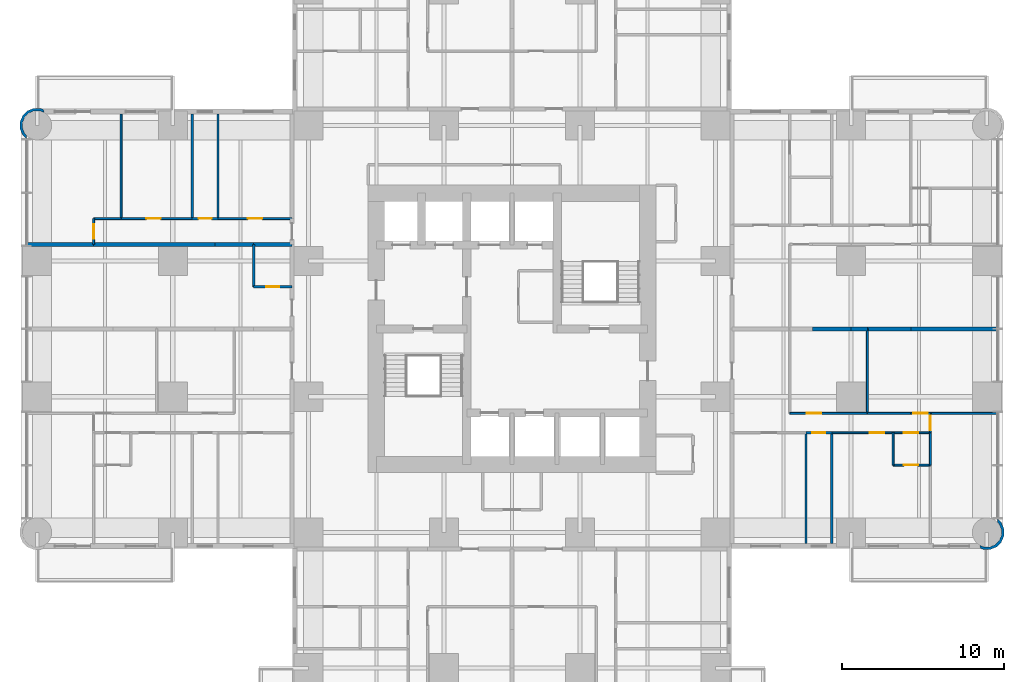
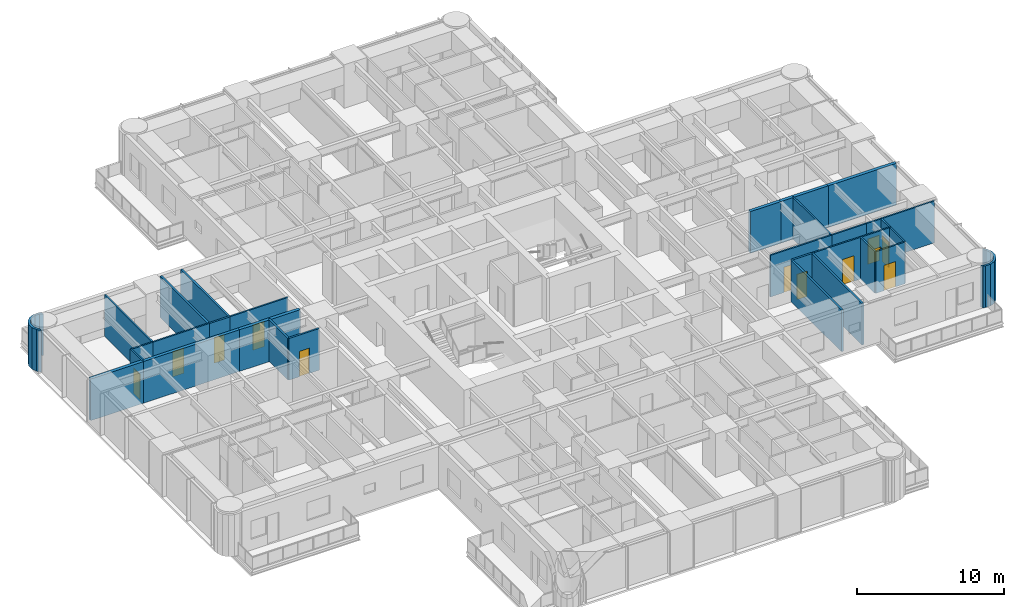
# One storey, part 11 of 17: 34 walls, 12 doors, 12 openings.
"""IFC4 building model written with IfcOpenShell, lengths in metres."""

from ifc_helpers import new_model, si_unit, direction, frame, frame_2d, origin, place, context, subcontext, project, spatial, polyline, rectangle, outline, extrude, material, layer, layer_set, type_object, element, fill, save


model = new_model("IFC4")

# Units and contexts
model_context = context("Model", 3, precision=1e-05, world=origin(), true_north=direction((0.0, 1.0)))
body_context = subcontext(model_context, "Body", "Model", "MODEL_VIEW")
ifc_project = project(units=[si_unit("LENGTHUNIT", "METRE"), si_unit("AREAUNIT", "SQUARE_METRE"), si_unit("VOLUMEUNIT", "CUBIC_METRE"), si_unit("PLANEANGLEUNIT", "RADIAN"), si_unit("MASSUNIT", "GRAM", prefix="KILO")], contexts=[model_context])

# Site, building, storey
site_placement = place(None, origin())
site = spatial("IfcSite", under=ifc_project, at=site_placement, CompositionType="ELEMENT")
building_placement = place(site_placement, origin())
building = spatial("IfcBuilding", under=site, at=building_placement, Name="Torre Alcanfor", CompositionType="ELEMENT")
storey_placement = place(building_placement, frame((0.0, 0.0, 41.699951171875)))
storey = spatial("IfcBuildingStorey", under=building, at=storey_placement, Name="L09", CompositionType="ELEMENT", Elevation=41.699951171875)

# Wall
ifc_material_1 = material(Name="Gypsum board on steel studs", Category="steel")
ifc_layer_1 = layer(ifc_material_1, 0.1201171875)
ifc_layer_set_1 = layer_set([ifc_layer_1], Name="Apartment partition 120")
wall_type_1 = type_object("IfcWallType", Name="Apartment partition 120", PredefinedType="PARTITIONING", material=ifc_layer_set_1)
wall_1_placement = place(storey_placement, frame((51.39990234375, 29.39990234375, 0.0), z_axis=(0.0, 0.0, 1.0), x_axis=(0.0, -1.0, 0.0)))
element("IfcWall", 1, at=wall_1_placement, inside=storey, type_object=wall_type_1, Name="Partition L09-E2-FAMILY / L09-E2-KITCHEN", PredefinedType="PARTITIONING", context=body_context, shape_type="SweptSolid", body=[
    extrude(rectangle(XDim=5.22900390625, YDim=0.1201171875, at=frame_2d((2.614501953125, 0.0))), origin(), (0.0, 0.0, 1.0), 3.449951171875),
])

# Wall, opening, door
wall_2_placement = place(storey_placement, frame((51.39990234375, 24.1708984375, 0.0), z_axis=(0.0, 0.0, 1.0), x_axis=(-1.0, 0.0, 0.0)))
wall_2 = element("IfcWall", 2, at=wall_2_placement, inside=storey, type_object=wall_type_1, Name="Partition L09-E2-FAMILY / L09-E2-HALL", PredefinedType="PARTITIONING", context=body_context, shape_type="SweptSolid", body=[
    extrude(rectangle(XDim=4.7998046875, YDim=0.1201171875, at=frame_2d((2.39990234375, 0.0))), origin(), (0.0, 0.0, 1.0), 3.449951171875),
])
opening_1_placement = place(wall_2_placement, frame((2.85009765625, 0.0, 0.0)))
opening_1 = element("IfcOpeningElement", 3, at=opening_1_placement, cuts=wall_2, Name="Opening D-R1", PredefinedType="OPENING", context=body_context, shape_type="SweptSolid", body=[
    extrude(rectangle(XDim=0.89990234375, YDim=2.10009765625, at=frame_2d((0.449951171875, 1.050048828125))), frame((0.0, 0.070068359375, 0.0), z_axis=(0.0, -1.0, 0.0), x_axis=(1.0, 0.0, 0.0)), (0.0, 0.0, 1.0), 0.14013671875),
])
ifc_material_2 = material(Name="Timber", Category="wood")
door_type_1 = type_object("IfcDoorType", Name="Internal door 900x2100", OperationType="SINGLE_SWING_LEFT", PredefinedType="DOOR", material=ifc_material_2)
door_1_placement = place(opening_1_placement, frame((0.89990234375, 0.0, 0.0), z_axis=(0.0, 0.0, 1.0), x_axis=(-1.0, 0.0, 0.0)))
door_1 = element("IfcDoor", 4, at=door_1_placement, inside=storey, type_object=door_type_1, Name="Door L09-E2 family", OperationType="SINGLE_SWING_LEFT", OverallHeight=2.10009765625, OverallWidth=0.89990234375, PredefinedType="DOOR", context=body_context, shape_type="SweptSolid", body=[
    extrude(rectangle(XDim=0.89990234375, YDim=2.10009765625, at=frame_2d((0.449951171875, 1.050048828125))), frame((0.0, 0.025146484375, 0.0), z_axis=(0.0, -1.0, 0.0), x_axis=(1.0, 0.0, 0.0)), (0.0, 0.0, 1.0), 0.050048828125),
])
fill(opening_1, door_1)

# Wall
wall_3_placement = place(storey_placement, frame((54.10009765625, 24.1708984375, 0.0), z_axis=(0.0, 0.0, 1.0), x_axis=(-1.0, 0.0, 0.0)))
element("IfcWall", 5, at=wall_3_placement, inside=storey, type_object=wall_type_1, Name="Partition L09-E2-KITCHEN / L09-E2-HALL", PredefinedType="PARTITIONING", context=body_context, shape_type="SweptSolid", body=[
    extrude(rectangle(XDim=2.7001953125, YDim=0.1201171875, at=frame_2d((1.35009765625, 0.0))), origin(), (0.0, 0.0, 1.0), 3.449951171875),
])

# Wall, opening, door
wall_4_placement = place(storey_placement, frame((55.300048828125, 24.1708984375, 0.0), z_axis=(0.0, 0.0, 1.0), x_axis=(-1.0, 0.0, 0.0)))
wall_4 = element("IfcWall", 6, at=wall_4_placement, inside=storey, type_object=wall_type_1, Name="Partition L09-E2-LIVING / L09-E2-HALL", PredefinedType="PARTITIONING", context=body_context, shape_type="SweptSolid", body=[
    extrude(rectangle(XDim=1.199951171875, YDim=0.1201171875, at=frame_2d((0.60009765625, 0.0))), origin(), (0.0, 0.0, 1.0), 3.449951171875),
])
opening_2_placement = place(wall_4_placement, frame((0.14990234375, 0.0, 0.0)))
opening_2 = element("IfcOpeningElement", 7, at=opening_2_placement, cuts=wall_4, Name="Opening D-R1", PredefinedType="OPENING", context=body_context, shape_type="SweptSolid", body=[
    extrude(rectangle(XDim=0.89990234375, YDim=2.10009765625, at=frame_2d((0.449951171875, 1.050048828125))), frame((0.0, 0.070068359375, 0.0), z_axis=(0.0, -1.0, 0.0), x_axis=(1.0, 0.0, 0.0)), (0.0, 0.0, 1.0), 0.14013671875),
])
door_2_placement = place(opening_2_placement, frame((0.89990234375, 0.0, 0.0), z_axis=(0.0, 0.0, 1.0), x_axis=(-1.0, 0.0, 0.0)))
door_2 = element("IfcDoor", 8, at=door_2_placement, inside=storey, type_object=door_type_1, Name="Door L09-E2 living", OperationType="SINGLE_SWING_LEFT", OverallHeight=2.10009765625, OverallWidth=0.89990234375, PredefinedType="DOOR", context=body_context, shape_type="SweptSolid", body=[
    extrude(rectangle(XDim=0.89990234375, YDim=2.10009765625, at=frame_2d((0.449951171875, 1.050048828125))), frame((0.0, 0.025146484375, 0.0), z_axis=(0.0, -1.0, 0.0), x_axis=(1.0, 0.0, 0.0)), (0.0, 0.0, 1.0), 0.050048828125),
])
fill(opening_2, door_2)

# Wall
wall_5_placement = place(storey_placement, frame((59.449951171875, 24.1708984375, 0.0), z_axis=(0.0, 0.0, 1.0), x_axis=(-1.0, 0.0, 0.0)))
element("IfcWall", 9, at=wall_5_placement, inside=storey, type_object=wall_type_1, Name="Partition L09-E2-LIVING / L09-E2-WGARD", PredefinedType="PARTITIONING", context=body_context, shape_type="SweptSolid", body=[
    extrude(rectangle(XDim=4.14990234375, YDim=0.1201171875, at=frame_2d((2.074951171875, 0.0))), origin(), (0.0, 0.0, 1.0), 3.449951171875),
])

# Wall, opening, door
wall_6_placement = place(storey_placement, frame((53.0, 22.970947265625, 0.0), z_axis=(0.0, 0.0, 1.0), x_axis=(-1.0, 0.0, 0.0)))
wall_6 = element("IfcWall", 10, at=wall_6_placement, inside=storey, type_object=wall_type_1, Name="Partition L09-E2-HALL / L09-E2-MASTER", PredefinedType="PARTITIONING", context=body_context, shape_type="SweptSolid", body=[
    extrude(rectangle(XDim=3.800048828125, YDim=0.1201171875, at=frame_2d((1.89990234375, 0.0))), origin(), (0.0, 0.0, 1.0), 3.449951171875),
])
opening_3_placement = place(wall_6_placement, frame((0.550048828125, 0.0, 0.0)))
opening_3 = element("IfcOpeningElement", 11, at=opening_3_placement, cuts=wall_6, Name="Opening D-R1", PredefinedType="OPENING", context=body_context, shape_type="SweptSolid", body=[
    extrude(rectangle(XDim=0.89990234375, YDim=2.10009765625, at=frame_2d((0.449951171875, 1.050048828125))), frame((0.0, 0.070068359375, 0.0), z_axis=(0.0, -1.0, 0.0), x_axis=(1.0, 0.0, 0.0)), (0.0, 0.0, 1.0), 0.14013671875),
])
door_3_placement = place(opening_3_placement, origin())
door_3 = element("IfcDoor", 12, at=door_3_placement, inside=storey, type_object=door_type_1, Name="Door L09-E2 master", OperationType="SINGLE_SWING_LEFT", OverallHeight=2.10009765625, OverallWidth=0.89990234375, PredefinedType="DOOR", context=body_context, shape_type="SweptSolid", body=[
    extrude(rectangle(XDim=0.89990234375, YDim=2.10009765625, at=frame_2d((0.449951171875, 1.050048828125))), frame((0.0, 0.02490234375, 0.0), z_axis=(0.0, -1.0, 0.0), x_axis=(1.0, 0.0, 0.0)), (0.0, 0.0, 1.0), 0.050048828125),
])
fill(opening_3, door_3)

wall_7_placement = place(storey_placement, frame((55.300048828125, 22.970947265625, 0.0), z_axis=(0.0, 0.0, 1.0), x_axis=(-1.0, 0.0, 0.0)))
wall_7 = element("IfcWall", 13, at=wall_7_placement, inside=storey, type_object=wall_type_1, Name="Partition L09-E2-HALL / L09-E2-VEST", PredefinedType="PARTITIONING", context=body_context, shape_type="SweptSolid", body=[
    extrude(rectangle(XDim=2.300048828125, YDim=0.1201171875, at=frame_2d((1.14990234375, 0.0))), origin(), (0.0, 0.0, 1.0), 3.449951171875),
])
opening_4_placement = place(wall_7_placement, frame((0.75, 0.0, 0.0)))
opening_4 = element("IfcOpeningElement", 14, at=opening_4_placement, cuts=wall_7, Name="Opening D-R1", PredefinedType="OPENING", context=body_context, shape_type="SweptSolid", body=[
    extrude(rectangle(XDim=0.89990234375, YDim=2.10009765625, at=frame_2d((0.449951171875, 1.050048828125))), frame((0.0, 0.070068359375, 0.0), z_axis=(0.0, -1.0, 0.0), x_axis=(1.0, 0.0, 0.0)), (0.0, 0.0, 1.0), 0.14013671875),
])
door_4_placement = place(opening_4_placement, origin())
door_4 = element("IfcDoor", 15, at=door_4_placement, inside=storey, type_object=door_type_1, Name="Door L09-E2 vest", OperationType="SINGLE_SWING_RIGHT", OverallHeight=2.10009765625, OverallWidth=0.89990234375, PredefinedType="DOOR", context=body_context, shape_type="SweptSolid", body=[
    extrude(rectangle(XDim=0.89990234375, YDim=2.10009765625, at=frame_2d((0.449951171875, 1.050048828125))), frame((0.0, 0.02490234375, 0.0), z_axis=(0.0, -1.0, 0.0), x_axis=(1.0, 0.0, 0.0)), (0.0, 0.0, 1.0), 0.050048828125),
])
fill(opening_4, door_4)

wall_8_placement = place(storey_placement, frame((55.300048828125, 24.1708984375, 0.0), z_axis=(0.0, 0.0, 1.0), x_axis=(0.0, -1.0, 0.0)))
wall_8 = element("IfcWall", 16, at=wall_8_placement, inside=storey, type_object=wall_type_1, Name="Partition L09-E2-HALL / L09-E2-WGARD", PredefinedType="PARTITIONING", context=body_context, shape_type="SweptSolid", body=[
    extrude(rectangle(XDim=1.199951171875, YDim=0.1201171875, at=frame_2d((0.60009765625, 0.0))), origin(), (0.0, 0.0, 1.0), 3.449951171875),
])
opening_5_placement = place(wall_8_placement, frame((0.15087890625, 0.0, 0.0)))
opening_5 = element("IfcOpeningElement", 17, at=opening_5_placement, cuts=wall_8, Name="Opening D-R1", PredefinedType="OPENING", context=body_context, shape_type="SweptSolid", body=[
    extrude(rectangle(XDim=0.89990234375, YDim=2.10009765625, at=frame_2d((0.449951171875, 1.050048828125))), frame((0.0, 0.070068359375, 0.0), z_axis=(0.0, -1.0, 0.0), x_axis=(1.0, 0.0, 0.0)), (0.0, 0.0, 1.0), 0.14013671875),
])
door_5_placement = place(opening_5_placement, origin())
door_5 = element("IfcDoor", 18, at=door_5_placement, inside=storey, type_object=door_type_1, Name="Door L09-E2 wgard", OperationType="SINGLE_SWING_LEFT", OverallHeight=2.10009765625, OverallWidth=0.89990234375, PredefinedType="DOOR", context=body_context, shape_type="SweptSolid", body=[
    extrude(rectangle(XDim=0.89990234375, YDim=2.10009765625, at=frame_2d((0.449951171875, 1.050048828125))), frame((0.0, 0.02490234375, 0.0), z_axis=(0.0, -1.0, 0.0), x_axis=(1.0, 0.0, 0.0)), (0.0, 0.0, 1.0), 0.050048828125),
])
fill(opening_5, door_5)

# Wall
wall_9_placement = place(storey_placement, frame((53.0, 22.970947265625, 0.0), z_axis=(0.0, 0.0, 1.0), x_axis=(0.0, -1.0, 0.0)))
element("IfcWall", 19, at=wall_9_placement, inside=storey, type_object=wall_type_1, Name="Partition L09-E2-MASTER / L09-E2-VEST", PredefinedType="PARTITIONING", context=body_context, shape_type="SweptSolid", body=[
    extrude(rectangle(XDim=2.0, YDim=0.1201171875, at=frame_2d((1.0, 0.0))), origin(), (0.0, 0.0, 1.0), 3.449951171875),
])

# Wall, opening, door
wall_10_placement = place(storey_placement, frame((53.0, 20.970947265625, 0.0), z_axis=(0.0, 0.0, 1.0), x_axis=(1.0, 0.0, 0.0)))
wall_10 = element("IfcWall", 20, at=wall_10_placement, inside=storey, type_object=wall_type_1, Name="Partition L09-E2-MASTER / L09-E2-VEST", PredefinedType="PARTITIONING", context=body_context, shape_type="SweptSolid", body=[
    extrude(rectangle(XDim=2.300048828125, YDim=0.1201171875, at=frame_2d((1.14990234375, 0.0))), origin(), (0.0, 0.0, 1.0), 3.449951171875),
])
opening_6_placement = place(wall_10_placement, frame((0.64990234375, 0.0, 0.0)))
opening_6 = element("IfcOpeningElement", 21, at=opening_6_placement, cuts=wall_10, Name="Opening D-R1", PredefinedType="OPENING", context=body_context, shape_type="SweptSolid", body=[
    extrude(rectangle(XDim=0.89990234375, YDim=2.10009765625, at=frame_2d((0.449951171875, 1.050048828125))), frame((0.0, 0.070068359375, 0.0), z_axis=(0.0, -1.0, 0.0), x_axis=(1.0, 0.0, 0.0)), (0.0, 0.0, 1.0), 0.14013671875),
])
door_6_placement = place(opening_6_placement, origin())
door_6 = element("IfcDoor", 22, at=door_6_placement, inside=storey, type_object=door_type_1, Name="Door L09-E2 master", OperationType="SINGLE_SWING_LEFT", OverallHeight=2.10009765625, OverallWidth=0.89990234375, PredefinedType="DOOR", context=body_context, shape_type="SweptSolid", body=[
    extrude(rectangle(XDim=0.89990234375, YDim=2.10009765625, at=frame_2d((0.449951171875, 1.050048828125))), frame((0.0, 0.02490234375, 0.0), z_axis=(0.0, -1.0, 0.0), x_axis=(1.0, 0.0, 0.0)), (0.0, 0.0, 1.0), 0.050048828125),
])
fill(opening_6, door_6)

# Wall
wall_11_placement = place(storey_placement, frame((55.300048828125, 22.970947265625, 0.0), z_axis=(0.0, 0.0, 1.0), x_axis=(0.0, -1.0, 0.0)))
element("IfcWall", 23, at=wall_11_placement, inside=storey, type_object=wall_type_1, Name="Partition L09-E2-VEST / L09-E2-WGARD", PredefinedType="PARTITIONING", context=body_context, shape_type="SweptSolid", body=[
    extrude(rectangle(XDim=2.0, YDim=0.1201171875, at=frame_2d((1.0, 0.0))), origin(), (0.0, 0.0, 1.0), 3.449951171875),
])

# Wall, opening, door
wall_12_placement = place(storey_placement, frame((11.199951171875, 36.22900390625, 0.0), z_axis=(0.0, 0.0, 1.0), x_axis=(1.0, 0.0, 0.0)))
wall_12 = element("IfcWall", 24, at=wall_12_placement, inside=storey, type_object=wall_type_1, Name="Partition L09-W2B-HALL / L09-W2B-MASTER", PredefinedType="PARTITIONING", context=body_context, shape_type="SweptSolid", body=[
    extrude(rectangle(XDim=4.574951171875, YDim=0.1201171875, at=frame_2d((2.28759765625, 0.0))), origin(), (0.0, 0.0, 1.0), 3.449951171875),
])
opening_7_placement = place(wall_12_placement, frame((1.85009765625, 0.0, 0.0)))
opening_7 = element("IfcOpeningElement", 25, at=opening_7_placement, cuts=wall_12, Name="Opening D-R1", PredefinedType="OPENING", context=body_context, shape_type="SweptSolid", body=[
    extrude(rectangle(XDim=0.89990234375, YDim=2.10009765625, at=frame_2d((0.449951171875, 1.050048828125))), frame((0.0, 0.070068359375, 0.0), z_axis=(0.0, -1.0, 0.0), x_axis=(1.0, 0.0, 0.0)), (0.0, 0.0, 1.0), 0.14013671875),
])
door_7_placement = place(opening_7_placement, origin())
door_7 = element("IfcDoor", 26, at=door_7_placement, inside=storey, type_object=door_type_1, Name="Door L09-W2B master", OperationType="SINGLE_SWING_RIGHT", OverallHeight=2.10009765625, OverallWidth=0.89990234375, PredefinedType="DOOR", context=body_context, shape_type="SweptSolid", body=[
    extrude(rectangle(XDim=0.89990234375, YDim=2.10009765625, at=frame_2d((0.449951171875, 1.050048828125))), frame((0.0, 0.02490234375, 0.0), z_axis=(0.0, -1.0, 0.0), x_axis=(1.0, 0.0, 0.0)), (0.0, 0.0, 1.0), 0.050048828125),
])
fill(opening_7, door_7)

wall_13_placement = place(storey_placement, frame((5.199951171875, 36.22900390625, 0.0), z_axis=(0.0, 0.0, 1.0), x_axis=(1.0, 0.0, 0.0)))
wall_13 = element("IfcWall", 27, at=wall_13_placement, inside=storey, type_object=wall_type_1, Name="Partition L09-W2B-HALL / L09-W2B-STUDY", PredefinedType="PARTITIONING", context=body_context, shape_type="SweptSolid", body=[
    extrude(rectangle(XDim=4.400146484375, YDim=0.1201171875, at=frame_2d((2.2001953125, 0.0))), origin(), (0.0, 0.0, 1.0), 3.449951171875),
])
opening_8_placement = place(wall_13_placement, frame((1.550048828125, 0.0, 0.0)))
opening_8 = element("IfcOpeningElement", 28, at=opening_8_placement, cuts=wall_13, Name="Opening D-R1", PredefinedType="OPENING", context=body_context, shape_type="SweptSolid", body=[
    extrude(rectangle(XDim=0.89990234375, YDim=2.10009765625, at=frame_2d((0.449951171875, 1.050048828125))), frame((0.0, 0.070068359375, 0.0), z_axis=(0.0, -1.0, 0.0), x_axis=(1.0, 0.0, 0.0)), (0.0, 0.0, 1.0), 0.14013671875),
])
door_8_placement = place(opening_8_placement, origin())
door_8 = element("IfcDoor", 29, at=door_8_placement, inside=storey, type_object=door_type_1, Name="Door L09-W2B study", OperationType="SINGLE_SWING_LEFT", OverallHeight=2.10009765625, OverallWidth=0.89990234375, PredefinedType="DOOR", context=body_context, shape_type="SweptSolid", body=[
    extrude(rectangle(XDim=0.89990234375, YDim=2.10009765625, at=frame_2d((0.449951171875, 1.050048828125))), frame((0.0, 0.02490234375, 0.0), z_axis=(0.0, -1.0, 0.0), x_axis=(1.0, 0.0, 0.0)), (0.0, 0.0, 1.0), 0.050048828125),
])
fill(opening_8, door_8)

# Wall
wall_14_placement = place(storey_placement, frame((3.5, 36.22900390625, 0.0), z_axis=(0.0, 0.0, 1.0), x_axis=(1.0, 0.0, 0.0)))
element("IfcWall", 30, at=wall_14_placement, inside=storey, type_object=wall_type_1, Name="Partition L09-W2B-HALL / L09-W2B-KITCHEN", PredefinedType="PARTITIONING", context=body_context, shape_type="SweptSolid", body=[
    extrude(rectangle(XDim=1.699951171875, YDim=0.1201171875, at=frame_2d((0.85009765625, 0.0))), origin(), (0.0, 0.0, 1.0), 3.449951171875),
])

# Wall, opening, door
wall_15_placement = place(storey_placement, frame((3.5, 34.62890625, 0.0), z_axis=(0.0, 0.0, 1.0), x_axis=(0.0, 1.0, 0.0)))
wall_15 = element("IfcWall", 31, at=wall_15_placement, inside=storey, type_object=wall_type_1, Name="Partition L09-W2B-HALL / L09-W2B-LIVING", PredefinedType="PARTITIONING", context=body_context, shape_type="SweptSolid", body=[
    extrude(rectangle(XDim=1.60009765625, YDim=0.1201171875, at=frame_2d((0.800048828125, 0.0))), origin(), (0.0, 0.0, 1.0), 3.449951171875),
])
opening_9_placement = place(wall_15_placement, frame((0.35009765625, 0.0, 0.0)))
opening_9 = element("IfcOpeningElement", 32, at=opening_9_placement, cuts=wall_15, Name="Opening D-R1", PredefinedType="OPENING", context=body_context, shape_type="SweptSolid", body=[
    extrude(rectangle(XDim=0.89990234375, YDim=2.10009765625, at=frame_2d((0.449951171875, 1.050048828125))), frame((0.0, 0.070068359375, 0.0), z_axis=(0.0, -1.0, 0.0), x_axis=(1.0, 0.0, 0.0)), (0.0, 0.0, 1.0), 0.14013671875),
])
door_9_placement = place(opening_9_placement, origin())
door_9 = element("IfcDoor", 33, at=door_9_placement, inside=storey, type_object=door_type_1, Name="Door L09-W2B living", OperationType="SINGLE_SWING_LEFT", OverallHeight=2.10009765625, OverallWidth=0.89990234375, PredefinedType="DOOR", context=body_context, shape_type="SweptSolid", body=[
    extrude(rectangle(XDim=0.89990234375, YDim=2.10009765625, at=frame_2d((0.449951171875, 1.050048828125))), frame((0.0, 0.02490234375, 0.0), z_axis=(0.0, -1.0, 0.0), x_axis=(1.0, 0.0, 0.0)), (0.0, 0.0, 1.0), 0.050048828125),
])
fill(opening_9, door_9)

# Walls
wall_16_placement = place(storey_placement, frame((5.199951171875, 36.22900390625, 0.0), z_axis=(0.0, 0.0, 1.0), x_axis=(0.0, 1.0, 0.0)))
element("IfcWall", 34, at=wall_16_placement, inside=storey, type_object=wall_type_1, Name="Partition L09-W2B-STUDY / L09-W2B-KITCHEN", PredefinedType="PARTITIONING", context=body_context, shape_type="SweptSolid", body=[
    extrude(rectangle(XDim=6.470947265625, YDim=0.1201171875, at=frame_2d((3.2353515625, 0.0))), origin(), (0.0, 0.0, 1.0), 3.449951171875),
])
ifc_material_3 = material(Name="Concrete block masonry, hollow blocks NMX-C-404 9 MPa", Category="masonry")
ifc_layer_2 = layer(ifc_material_3, 0.25)
ifc_layer_set_2 = layer_set([ifc_layer_2], Name="Party wall 250 EI 60")
wall_type_2 = type_object("IfcWallType", Name="Party wall 250 EI 60", PredefinedType="PARTITIONING", material=ifc_layer_set_2)
wall_17_placement = place(storey_placement, frame((48.0, 29.39990234375, 0.0), z_axis=(0.0, 0.0, 1.0), x_axis=(1.0, 0.0, 0.0)))
element("IfcWall", 35, at=wall_17_placement, inside=storey, type_object=wall_type_2, Name="Partition L09-E1-KITCHEN / L09-E2-FAMILY", PredefinedType="PARTITIONING", context=body_context, shape_type="SweptSolid", body=[
    extrude(rectangle(XDim=2.39990234375, YDim=0.25, at=frame_2d((1.199951171875, 0.0))), origin(), (0.0, 0.0, 1.0), 3.449951171875),
])
wall_18_placement = place(storey_placement, frame((50.39990234375, 29.39990234375, 0.0), z_axis=(0.0, 0.0, 1.0), x_axis=(1.0, 0.0, 0.0)))
element("IfcWall", 36, at=wall_18_placement, inside=storey, type_object=wall_type_2, Name="Partition L09-E1-LIVING / L09-E2-FAMILY", PredefinedType="PARTITIONING", context=body_context, shape_type="SweptSolid", body=[
    extrude(rectangle(XDim=1.0, YDim=0.25, at=frame_2d((0.5, 0.0))), origin(), (0.0, 0.0, 1.0), 3.449951171875),
])
wall_19_placement = place(storey_placement, frame((51.39990234375, 29.39990234375, 0.0), z_axis=(0.0, 0.0, 1.0), x_axis=(1.0, 0.0, 0.0)))
element("IfcWall", 37, at=wall_19_placement, inside=storey, type_object=wall_type_2, Name="Partition L09-E1-LIVING / L09-E2-KITCHEN", PredefinedType="PARTITIONING", context=body_context, shape_type="SweptSolid", body=[
    extrude(rectangle(XDim=2.7001953125, YDim=0.25, at=frame_2d((1.35009765625, 0.0))), origin(), (0.0, 0.0, 1.0), 3.449951171875),
])
wall_20_placement = place(storey_placement, frame((54.10009765625, 29.39990234375, 0.0), z_axis=(0.0, 0.0, 1.0), x_axis=(1.0, 0.0, 0.0)))
element("IfcWall", 38, at=wall_20_placement, inside=storey, type_object=wall_type_2, Name="Partition L09-E1-LIVING / L09-E2-LIVING", PredefinedType="PARTITIONING", context=body_context, shape_type="SweptSolid", body=[
    extrude(rectangle(XDim=5.349853515625, YDim=0.25, at=frame_2d((2.6748046875, 0.0))), origin(), (0.0, 0.0, 1.0), 3.449951171875),
])
wall_21_placement = place(storey_placement, frame((13.39990234375, 34.62890625, 0.0), z_axis=(0.0, 0.0, 1.0), x_axis=(1.0, 0.0, 0.0)))
element("IfcWall", 39, at=wall_21_placement, inside=storey, type_object=wall_type_2, Name="Partition L09-W2A-BATH / L09-W2B-HALL", PredefinedType="PARTITIONING", context=body_context, shape_type="SweptSolid", body=[
    extrude(rectangle(XDim=2.375, YDim=0.25, at=frame_2d((1.1875, 0.0))), origin(), (0.0, 0.0, 1.0), 3.449951171875),
])
wall_22_placement = place(storey_placement, frame((11.0, 34.62890625, 0.0), z_axis=(0.0, 0.0, 1.0), x_axis=(1.0, 0.0, 0.0)))
element("IfcWall", 40, at=wall_22_placement, inside=storey, type_object=wall_type_2, Name="Partition L09-W2A-KITCHEN / L09-W2B-HALL", PredefinedType="PARTITIONING", context=body_context, shape_type="SweptSolid", body=[
    extrude(rectangle(XDim=2.39990234375, YDim=0.25, at=frame_2d((1.199951171875, 0.0))), origin(), (0.0, 0.0, 1.0), 3.449951171875),
])
wall_23_placement = place(storey_placement, frame((3.5, 34.62890625, 0.0), z_axis=(0.0, 0.0, 1.0), x_axis=(1.0, 0.0, 0.0)))
element("IfcWall", 41, at=wall_23_placement, inside=storey, type_object=wall_type_2, Name="Partition L09-W2A-STUDIO / L09-W2B-HALL", PredefinedType="PARTITIONING", context=body_context, shape_type="SweptSolid", body=[
    extrude(rectangle(XDim=7.5, YDim=0.25, at=frame_2d((3.75, 0.0))), origin(), (0.0, 0.0, 1.0), 3.449951171875),
])
wall_24_placement = place(storey_placement, frame((-0.64990234375, 34.62890625, 0.0), z_axis=(0.0, 0.0, 1.0), x_axis=(1.0, 0.0, 0.0)))
element("IfcWall", 42, at=wall_24_placement, inside=storey, type_object=wall_type_2, Name="Partition L09-W2A-STUDIO / L09-W2B-LIVING", PredefinedType="PARTITIONING", context=body_context, shape_type="SweptSolid", body=[
    extrude(rectangle(XDim=4.14990234375, YDim=0.25, at=frame_2d((2.074951171875, 0.0))), origin(), (0.0, 0.0, 1.0), 3.449951171875),
])
ifc_material_4 = material(Name="Limestone cladding", Category="masonry")
ifc_layer_3 = layer(ifc_material_4, 0.0400390625, Name="Facing")
ifc_material_5 = material(Name="Ventilated air cavity")
ifc_layer_4 = layer(ifc_material_5, 0.02001953125, ventilated=True, Name="Ventilated joint")
ifc_material_6 = material(Name="Mineral wool insulation", Category="insulation")
ifc_layer_5 = layer(ifc_material_6, 0.10009765625, Name="Insulation")
ifc_material_7 = material(Name="Concrete f'c 35 MPa", Category="concrete")
ifc_layer_6 = layer(ifc_material_7, 0.139892578125, Name="Backing")
ifc_layer_set_3 = layer_set([ifc_layer_3, ifc_layer_4, ifc_layer_5, ifc_layer_6], Name="Rounded corner pier stone-clad 300")
wall_type_3 = type_object("IfcWallType", Name="Rounded corner pier stone-clad 300", PredefinedType="SOLIDWALL", material=ifc_layer_set_3)
wall_25_placement = place(storey_placement, frame((0.363962863, 42.909907157, 0.0), z_axis=(0.0, 0.0, 1.0), x_axis=(-0.926129809145, 0.377204953059, 0.0)))
element("IfcWall", 43, at=wall_25_placement, inside=storey, type_object=wall_type_3, Name="Corner pier L09 13", PredefinedType="SOLIDWALL", context=body_context, shape_type="SweptSolid", body=[
    extrude(outline(polyline([(0.36027248147905344, 1.8032799323574271), (0.5087783723473315, 1.740921099842025), (0.7605913470133172, 1.4857584601095954), (0.8957810128069955, 1.1538349835897281), (0.8939031559639274, 0.7953461823991875), (0.7547957339381889, 0.4650577343600455), (0.4996330942057594, 0.21324475969405968), (0.1677096176858921, 0.07805509390038129), (-0.09992182078970525, 0.07950523369113624), (0.0006988421670046999, -0.09699421764222865), (0.0300177129428464, -0.08030783699434613), (0.19858532179107968, -0.08124570553990346), (0.5888441232034033, 0.0777034519259609), (0.8888369702307105, 0.374136779300854), (1.052603126025944, 0.7629734686109036), (1.0550818122472803, 1.1847106876949156), (0.8961326547814159, 1.5749694891072394), (0.7776866026168303, 1.6949130219751851), (0.7691400347446393, 1.7275471706587737), (0.7502646662372825, 1.7227591424871238), (0.599699327406523, 1.8749623361345464), (0.2945484394782597, 2.0034825844222954), (0.2809820848521072, 1.9979571212427172), (0.36027248147905344, 1.8032799323574271)])), origin(), (0.0, 0.0, 1.0), 3.449951171875),
])
wall_26_placement = place(storey_placement, frame((58.436037137, 15.890092843, 0.0), z_axis=(0.0, 0.0, 1.0), x_axis=(0.926129809145, -0.377204953059, 0.0)))
element("IfcWall", 44, at=wall_26_placement, inside=storey, type_object=wall_type_3, Name="Corner pier L09 17", PredefinedType="SOLIDWALL", context=body_context, shape_type="SweptSolid", body=[
    extrude(outline(polyline([(0.769166837716128, 1.7276108100514604), (0.7500653632983351, 1.7227306908268178), (0.5995000244675756, 1.8749338844742405), (0.2945752424497483, 2.003546223814982), (0.2810088878235957, 1.9980207606354041), (0.36029928445054193, 1.803343571750114), (0.5086711604613772, 1.740666542271283), (0.7606181499848057, 1.4858220995022824), (0.8958078157784841, 1.153898622982415), (0.8937038530249802, 0.7953177307388815), (0.7545964309992416, 0.4650292826997394), (0.49975198823024103, 0.21308229317631072), (0.16782851171037358, 0.07789262738263233), (-0.0998950178182167, 0.07956887308382314), (0.0004995392280573718, -0.09702266930253471), (0.03004451591433495, -0.08024419760165923), (0.19838601885213236, -0.08127415720020953), (0.5888709261748919, 0.07776709131864781), (0.888863773202199, 0.37420041869354087), (1.0524038230869968, 0.7629450169505976), (1.0552007062717619, 1.1845482211771667), (0.8961594577529046, 1.5750331284999262), (0.777713405588319, 1.694976661367872), (0.769166837716128, 1.7276108100514604)])), origin(), (0.0, 0.0, 1.0), 3.449951171875),
])

# Wall, opening, door
ifc_material_8 = material(Name="Cement board on steel studs", Category="steel")
ifc_layer_7 = layer(ifc_material_8, 0.14990234375)
ifc_layer_set_4 = layer_set([ifc_layer_7], Name="Wet area partition 150")
wall_type_4 = type_object("IfcWallType", Name="Wet area partition 150", PredefinedType="PARTITIONING", material=ifc_layer_set_4)
wall_27_placement = place(storey_placement, frame((49.199951171875, 22.970947265625, 0.0), z_axis=(0.0, 0.0, 1.0), x_axis=(-1.0, 0.0, 0.0)))
wall_27 = element("IfcWall", 45, at=wall_27_placement, inside=storey, type_object=wall_type_4, Name="Partition L09-E2-HALL / L09-E2-BATH1", PredefinedType="PARTITIONING", context=body_context, shape_type="SweptSolid", body=[
    extrude(rectangle(XDim=1.599853515625, YDim=0.14990234375, at=frame_2d((0.7998046875, 0.0))), origin(), (0.0, 0.0, 1.0), 3.449951171875),
])
opening_10_placement = place(wall_27_placement, frame((0.39990234375, 0.0, 0.0)))
opening_10 = element("IfcOpeningElement", 46, at=opening_10_placement, cuts=wall_27, Name="Opening D-R2", PredefinedType="OPENING", context=body_context, shape_type="SweptSolid", body=[
    extrude(rectangle(XDim=0.800048828125, YDim=2.10009765625, at=frame_2d((0.39990234375, 1.050048828125))), frame((0.0, 0.0849609375, 0.0), z_axis=(0.0, -1.0, 0.0), x_axis=(1.0, 0.0, 0.0)), (0.0, 0.0, 1.0), 0.169921875),
])
ifc_material_9 = material(Name="Timber", Category="wood")
door_type_2 = type_object("IfcDoorType", Name="Bathroom door 800x2100", OperationType="SINGLE_SWING_LEFT", PredefinedType="DOOR", material=ifc_material_9)
door_10_placement = place(opening_10_placement, origin())
door_10 = element("IfcDoor", 47, at=door_10_placement, inside=storey, type_object=door_type_2, Name="Door L09-E2 bath1", OperationType="SINGLE_SWING_LEFT", OverallHeight=2.10009765625, OverallWidth=0.800048828125, PredefinedType="DOOR", context=body_context, shape_type="SweptSolid", body=[
    extrude(rectangle(XDim=0.800048828125, YDim=2.10009765625, at=frame_2d((0.39990234375, 1.050048828125))), frame((0.0, 0.02490234375, 0.0), z_axis=(0.0, -1.0, 0.0), x_axis=(1.0, 0.0, 0.0)), (0.0, 0.0, 1.0), 0.050048828125),
])
fill(opening_10, door_10)

# Walls
for number, where, z_axis, x_axis, name in (
    (48, (47.60009765625, 22.970947265625, 0.0), (0.0, 0.0, 1.0), (0.0, -1.0, 0.0), "Partition L09-E2-BED2 / L09-E2-BATH1"),
    (49, (49.199951171875, 22.970947265625, 0.0), (0.0, 0.0, 1.0), (0.0, -1.0, 0.0), "Partition L09-E2-BATH1 / L09-E2-MASTER"),
):
    element("IfcWall", number, at=place(storey_placement, frame(where, z_axis=z_axis, x_axis=x_axis)), inside=storey, type_object=wall_type_4, Name=name, PredefinedType="PARTITIONING", context=body_context, shape_type="SweptSolid", body=[
        extrude(rectangle(XDim=6.870849609375, YDim=0.14990234375, at=frame_2d((3.435546875, 0.0))), origin(), (0.0, 0.0, 1.0), 3.449951171875),
    ])

# Wall, opening, door
wall_28_placement = place(storey_placement, frame((13.39990234375, 32.0, 0.0), z_axis=(0.0, 0.0, 1.0), x_axis=(1.0, 0.0, 0.0)))
wall_28 = element("IfcWall", 50, at=wall_28_placement, inside=storey, type_object=wall_type_4, Name="Partition L09-W2A-FOYER / L09-W2A-BATH", PredefinedType="PARTITIONING", context=body_context, shape_type="SweptSolid", body=[
    extrude(rectangle(XDim=2.375, YDim=0.14990234375, at=frame_2d((1.1875, 0.0))), origin(), (0.0, 0.0, 1.0), 3.449951171875),
])
opening_11_placement = place(wall_28_placement, frame((0.800048828125, 0.0, 0.0)))
opening_11 = element("IfcOpeningElement", 51, at=opening_11_placement, cuts=wall_28, Name="Opening D-R2", PredefinedType="OPENING", context=body_context, shape_type="SweptSolid", body=[
    extrude(rectangle(XDim=0.800048828125, YDim=2.10009765625, at=frame_2d((0.39990234375, 1.050048828125))), frame((0.0, 0.0849609375, 0.0), z_axis=(0.0, -1.0, 0.0), x_axis=(1.0, 0.0, 0.0)), (0.0, 0.0, 1.0), 0.169921875),
])
door_11_placement = place(opening_11_placement, origin())
door_11 = element("IfcDoor", 52, at=door_11_placement, inside=storey, type_object=door_type_2, Name="Door L09-W2A bath", OperationType="SINGLE_SWING_RIGHT", OverallHeight=2.10009765625, OverallWidth=0.800048828125, PredefinedType="DOOR", context=body_context, shape_type="SweptSolid", body=[
    extrude(rectangle(XDim=0.800048828125, YDim=2.10009765625, at=frame_2d((0.39990234375, 1.050048828125))), frame((0.0, 0.02490234375, 0.0), z_axis=(0.0, -1.0, 0.0), x_axis=(1.0, 0.0, 0.0)), (0.0, 0.0, 1.0), 0.050048828125),
])
fill(opening_11, door_11)

# Wall
wall_29_placement = place(storey_placement, frame((13.39990234375, 32.0, 0.0), z_axis=(0.0, 0.0, 1.0), x_axis=(0.0, 1.0, 0.0)))
element("IfcWall", 53, at=wall_29_placement, inside=storey, type_object=wall_type_4, Name="Partition L09-W2A-BATH / L09-W2A-KITCHEN", PredefinedType="PARTITIONING", context=body_context, shape_type="SweptSolid", body=[
    extrude(rectangle(XDim=2.62890625, YDim=0.14990234375, at=frame_2d((1.314453125, 0.0))), origin(), (0.0, 0.0, 1.0), 3.449951171875),
])

# Wall, opening, door
wall_30_placement = place(storey_placement, frame((9.60009765625, 36.22900390625, 0.0), z_axis=(0.0, 0.0, 1.0), x_axis=(1.0, 0.0, 0.0)))
wall_30 = element("IfcWall", 54, at=wall_30_placement, inside=storey, type_object=wall_type_4, Name="Partition L09-W2B-HALL / L09-W2B-BATH", PredefinedType="PARTITIONING", context=body_context, shape_type="SweptSolid", body=[
    extrude(rectangle(XDim=1.599853515625, YDim=0.14990234375, at=frame_2d((0.7998046875, 0.0))), origin(), (0.0, 0.0, 1.0), 3.449951171875),
])
opening_12_placement = place(wall_30_placement, frame((0.39990234375, 0.0, 0.0)))
opening_12 = element("IfcOpeningElement", 55, at=opening_12_placement, cuts=wall_30, Name="Opening D-R2", PredefinedType="OPENING", context=body_context, shape_type="SweptSolid", body=[
    extrude(rectangle(XDim=0.800048828125, YDim=2.10009765625, at=frame_2d((0.39990234375, 1.050048828125))), frame((0.0, 0.0849609375, 0.0), z_axis=(0.0, -1.0, 0.0), x_axis=(1.0, 0.0, 0.0)), (0.0, 0.0, 1.0), 0.169921875),
])
door_12_placement = place(opening_12_placement, origin())
door_12 = element("IfcDoor", 56, at=door_12_placement, inside=storey, type_object=door_type_2, Name="Door L09-W2B bath", OperationType="SINGLE_SWING_LEFT", OverallHeight=2.10009765625, OverallWidth=0.800048828125, PredefinedType="DOOR", context=body_context, shape_type="SweptSolid", body=[
    extrude(rectangle(XDim=0.800048828125, YDim=2.10009765625, at=frame_2d((0.39990234375, 1.050048828125))), frame((0.0, 0.02490234375, 0.0), z_axis=(0.0, -1.0, 0.0), x_axis=(1.0, 0.0, 0.0)), (0.0, 0.0, 1.0), 0.050048828125),
])
fill(opening_12, door_12)

# Walls
for number, where, z_axis, x_axis, name in (
    (57, (11.199951171875, 36.22900390625, 0.0), (0.0, 0.0, 1.0), (0.0, 1.0, 0.0), "Partition L09-W2B-MASTER / L09-W2B-BATH"),
    (58, (9.60009765625, 36.22900390625, 0.0), (0.0, 0.0, 1.0), (0.0, 1.0, 0.0), "Partition L09-W2B-BATH / L09-W2B-STUDY"),
):
    element("IfcWall", number, at=place(storey_placement, frame(where, z_axis=z_axis, x_axis=x_axis)), inside=storey, type_object=wall_type_4, Name=name, PredefinedType="PARTITIONING", context=body_context, shape_type="SweptSolid", body=[
        extrude(rectangle(XDim=6.470947265625, YDim=0.14990234375, at=frame_2d((3.2353515625, 0.0))), origin(), (0.0, 0.0, 1.0), 3.449951171875),
    ])

save(model, "model.ifc")
